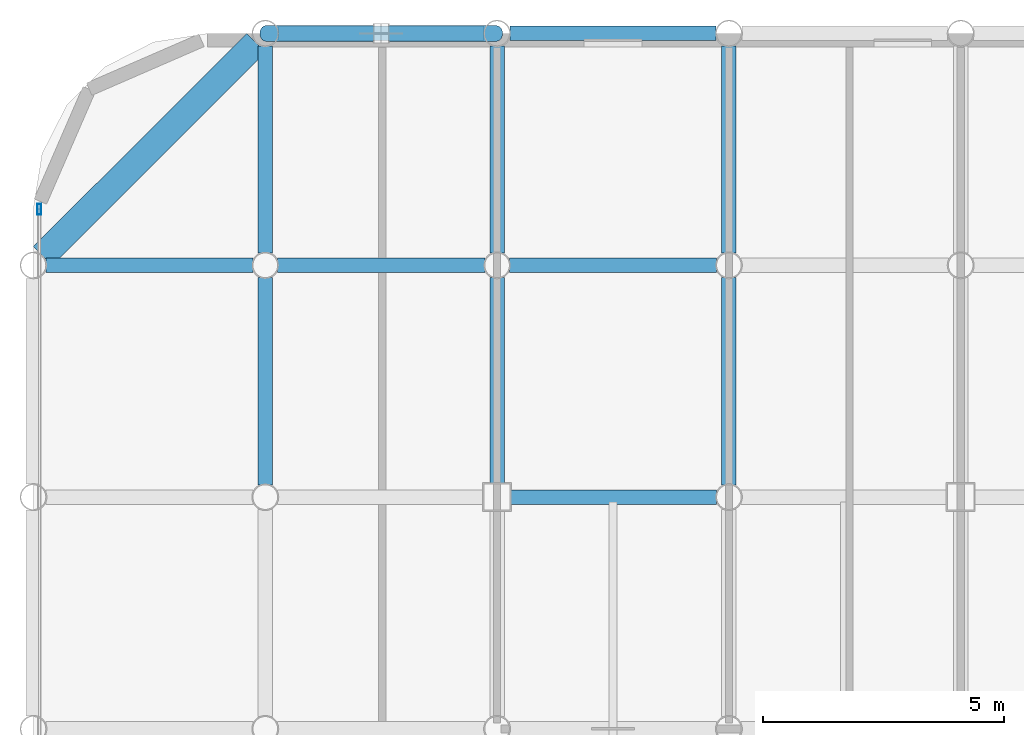
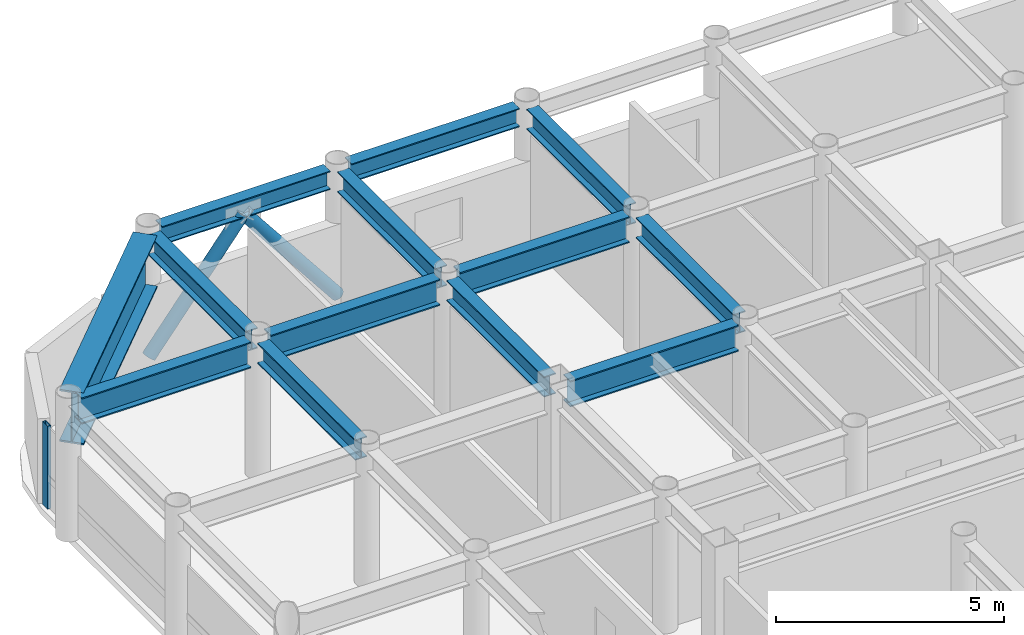
# One storey, part 12 of 22: 13 beams, 3 members, 1 element without a shape of its own.
"""IFC4 building model written with IfcOpenShell, lengths in metres."""

from ifc_helpers import new_model, si_unit, direction, frame, origin, origin_2d, place, context, subcontext, project, spatial, hollow_rectangle, hollow_circle, i_section, extrude, material, layer, layer_set, material_profile, profile_set, type_object, element, aggregate, save


model = new_model("IFC4")

# Units and contexts
model_context = context("Model", 3, precision=1e-05, world=origin(), true_north=direction((0.0, 1.0)))
body_context = subcontext(model_context, "Body", "Model", "MODEL_VIEW")
ifc_project = project(units=[si_unit("LENGTHUNIT", "METRE"), si_unit("AREAUNIT", "SQUARE_METRE"), si_unit("VOLUMEUNIT", "CUBIC_METRE"), si_unit("PLANEANGLEUNIT", "RADIAN"), si_unit("MASSUNIT", "GRAM", prefix="KILO")], contexts=[model_context])

# Site, building, storey
site_placement = place(None, origin())
site = spatial("IfcSite", under=ifc_project, at=site_placement, CompositionType="ELEMENT")
building_placement = place(site_placement, origin())
building = spatial("IfcBuilding", under=site, at=building_placement, Name="Kallvorn Hotel Tower", CompositionType="ELEMENT")
storey_placement = place(building_placement, frame((0.0, 0.0, 264.64990234375)))
storey = spatial("IfcBuildingStorey", under=building, at=storey_placement, Name="L66", CompositionType="ELEMENT", Elevation=264.64990234375)

# Beams
ifc_material_1 = material(Name="Structural steel S355JR", Category="steel")
ifc_material_profile_1 = material_profile(ifc_material_1, i_section(OverallWidth=0.300048828125, OverallDepth=0.5, WebThickness=0.014404296875, FlangeThickness=0.028076171875, at=origin_2d()), Name="HE 500 B")
ifc_profile_set_1 = profile_set([ifc_material_profile_1], Name="Structural steel S355JR")
beam_type_1 = type_object("IfcBeamType", Name="BM_HE500B", PredefinedType="SPANDREL", material=ifc_profile_set_1)
for number, where, z_axis, x_axis, name in (
    (1, (-28.530517578125, 24.0, 3.420166015625), (1.0, 0.0, 0.0), (0.0, 1.0, 0.0), "L67 Perimeter Spandrel 163"),
    (2, (-23.73046875, 24.0, 3.420166015625), (1.0, 0.0, 0.0), (0.0, 1.0, 0.0), "L67 Perimeter Spandrel 164"),
):
    element("IfcBeam", number, at=place(storey_placement, frame(where, z_axis=z_axis, x_axis=x_axis)), inside=storey, type_object=beam_type_1, Name=name, PredefinedType="SPANDREL", context=body_context, shape_type="SweptSolid", body=[
        extrude(i_section(OverallWidth=0.300048828125, OverallDepth=0.5, WebThickness=0.014404296875, FlangeThickness=0.028076171875, at=origin_2d()), origin(), (0.0, 0.0, 1.0), 4.260986328125),
    ])
ifc_material_2 = material(Name="Structural steel S355JR", Category="steel")
ifc_material_profile_2 = material_profile(ifc_material_2, i_section(OverallWidth=0.300048828125, OverallDepth=0.550048828125, WebThickness=0.014892578125, FlangeThickness=0.029052734375, at=origin_2d()), Name="HE 550 B")
ifc_profile_set_2 = profile_set([ifc_material_profile_2], Name="Structural steel S355JR")
beam_type_2 = type_object("IfcBeamType", Name="BM_HE550B", PredefinedType="SPANDREL", material=ifc_profile_set_2)
for number, where, z_axis, x_axis, name in (
    (3, (-28.800048828125, 14.654541015625, 3.39501953125), (0.0, 1.0, 0.0), (-1.0, 0.0, 0.0), "L67 Primary Y-Girder 80"),
    (4, (-28.800048828125, 19.45458984375, 3.39501953125), (0.0, 1.0, 0.0), (-1.0, 0.0, 0.0), "L67 Primary Y-Girder 81"),
):
    element("IfcBeam", number, at=place(storey_placement, frame(where, z_axis=z_axis, x_axis=x_axis)), inside=storey, type_object=beam_type_2, Name=name, PredefinedType="SPANDREL", context=body_context, shape_type="SweptSolid", body=[
        extrude(i_section(OverallWidth=0.300048828125, OverallDepth=0.550048828125, WebThickness=0.014892578125, FlangeThickness=0.029052734375, at=origin_2d()), origin(), (0.0, 0.0, 1.0), 4.291015625),
    ])
beam_1_placement = place(storey_placement, frame((-24.0, 14.675048828125, 3.39501953125), z_axis=(0.0, 1.0, 0.0), x_axis=(-1.0, 0.0, 0.0)))
element("IfcBeam", 5, at=beam_1_placement, inside=storey, type_object=beam_type_2, Name="L67 Primary Y-Girder 87", PredefinedType="SPANDREL", context=body_context, shape_type="SweptSolid", body=[
    extrude(i_section(OverallWidth=0.300048828125, OverallDepth=0.550048828125, WebThickness=0.014892578125, FlangeThickness=0.029052734375, at=origin_2d()), origin(), (0.0, 0.0, 1.0), 4.2705078125),
])
for number, where, z_axis, x_axis, name in (
    (6, (-24.0, 19.45458984375, 3.39501953125), (0.0, 1.0, 0.0), (-1.0, 0.0, 0.0), "L67 Primary Y-Girder 88"),
    (7, (-19.199951171875, 14.654541015625, 3.39501953125), (0.0, 1.0, 0.0), (-1.0, 0.0, 0.0), "L67 Primary Y-Girder 96"),
    (8, (-19.199951171875, 19.45458984375, 3.39501953125), (0.0, 1.0, 0.0), (-1.0, 0.0, 0.0), "L67 Primary Y-Girder 97"),
):
    element("IfcBeam", number, at=place(storey_placement, frame(where, z_axis=z_axis, x_axis=x_axis)), inside=storey, type_object=beam_type_2, Name=name, PredefinedType="SPANDREL", context=body_context, shape_type="SweptSolid", body=[
        extrude(i_section(OverallWidth=0.300048828125, OverallDepth=0.550048828125, WebThickness=0.014892578125, FlangeThickness=0.029052734375, at=origin_2d()), origin(), (0.0, 0.0, 1.0), 4.291015625),
    ])
ifc_material_3 = material(Name="Structural steel S355JR", Category="steel")
ifc_material_profile_3 = material_profile(ifc_material_3, i_section(OverallWidth=0.300048828125, OverallDepth=0.699951171875, WebThickness=0.01708984375, FlangeThickness=0.031982421875, at=origin_2d()), Name="HE 700 B")
ifc_profile_set_3 = profile_set([ifc_material_profile_3], Name="Structural steel S355JR")
beam_type_3 = type_object("IfcBeamType", Name="BM_HE700B", PredefinedType="BEAM", material=ifc_profile_set_3)
beam_2_placement = place(storey_placement, frame((-23.72509765625, 14.39990234375, 3.320068359375), z_axis=(1.0, 0.0, 0.0), x_axis=(0.0, 1.0, 0.0)))
element("IfcBeam", 9, at=beam_2_placement, inside=storey, type_object=beam_type_3, Name="L67 Primary X-Girder 52", PredefinedType="BEAM", context=body_context, shape_type="SweptSolid", body=[
    extrude(i_section(OverallWidth=0.300048828125, OverallDepth=0.699951171875, WebThickness=0.01708984375, FlangeThickness=0.031982421875, at=origin_2d()), origin(), (0.0, 0.0, 1.0), 4.2705078125),
])
for number, where, z_axis, x_axis, name in (
    (10, (-33.345458984375, 19.199951171875, 3.320068359375), (1.0, 0.0, 0.0), (0.0, 1.0, 0.0), "L67 Primary X-Girder 60"),
    (11, (-28.54541015625, 19.199951171875, 3.320068359375), (1.0, 0.0, 0.0), (0.0, 1.0, 0.0), "L67 Primary X-Girder 61"),
    (12, (-23.74560546875, 19.199951171875, 3.320068359375), (1.0, 0.0, 0.0), (0.0, 1.0, 0.0), "L67 Primary X-Girder 62"),
):
    element("IfcBeam", number, at=place(storey_placement, frame(where, z_axis=z_axis, x_axis=x_axis)), inside=storey, type_object=beam_type_3, Name=name, PredefinedType="BEAM", context=body_context, shape_type="SweptSolid", body=[
        extrude(i_section(OverallWidth=0.300048828125, OverallDepth=0.699951171875, WebThickness=0.01708984375, FlangeThickness=0.031982421875, at=origin_2d()), origin(), (0.0, 0.0, 1.0), 4.291015625),
    ])
ifc_material_4 = material(Name="Structural steel S355JR", Category="steel")
ifc_material_profile_4 = material_profile(ifc_material_4, i_section(OverallWidth=0.550048828125, OverallDepth=1.39990234375, WebThickness=0.02490234375, FlangeThickness=0.044921875, at=origin_2d()), Name="PG 1400x550x25x45")
ifc_profile_set_4 = profile_set([ifc_material_profile_4], Name="Structural steel S355JR")
beam_type_4 = type_object("IfcBeamType", Name="BM_PG_1400", PredefinedType="BEAM", material=ifc_profile_set_4)
beam_3_placement = place(storey_placement, frame((-33.409423828125, 19.390625, 2.97021484375), z_axis=(0.707126314793, 0.707087247041, 0.0), x_axis=(-0.707087247041, 0.707126314793, 0.0)))
element("IfcBeam", 13, at=beam_3_placement, inside=storey, type_object=beam_type_4, Name="L67 Rounded Corner Tie Beam 190", PredefinedType="BEAM", context=body_context, shape_type="SweptSolid", body=[
    extrude(i_section(OverallWidth=0.550048828125, OverallDepth=1.39990234375, WebThickness=0.02490234375, FlangeThickness=0.044921875, at=origin_2d()), origin(), (0.0, 0.0, 1.0), 6.249267578125),
])

# Curtain wall, member
ifc_material_5 = material(Name="Thermally broken black-anodised aluminium AA 6063-T6", Category="aluminium")
ifc_layer = layer(ifc_material_5, 0.22998046875)
ifc_layer_set = layer_set([ifc_layer], Name="CW_SYS_5_HOTEL_HIGH")
curtain_wall_type = type_object("IfcCurtainWallType", Name="CW_SYS_5_HOTEL_HIGH", PredefinedType="USERDEFINED", material=ifc_layer_set)
curtain_wall_placement = place(storey_placement, origin())
curtain_wall = element("IfcCurtainWall", 14, at=curtain_wall_placement, inside=storey, type_object=curtain_wall_type, Name="L66 Dark-Glass Curtain Wall CW-L66-WN", ObjectType="UNITISED CURTAIN WALL", PredefinedType="USERDEFINED")
ifc_material_6 = material(Name="Thermally broken black-anodised aluminium AA 6063-T6", Category="aluminium")
ifc_material_profile_5 = material_profile(ifc_material_6, hollow_rectangle(XDim=0.080078125, YDim=0.219970703125, WallThickness=0.0048828125, at=origin_2d()), Name="MUL 220x80")
ifc_profile_set_5 = profile_set([ifc_material_profile_5], Name="Thermally broken black-anodised aluminium AA 6063-T6")
member_type_1 = type_object("IfcMemberType", Name="CW_MULLION_220x80", PredefinedType="MULLION", material=ifc_profile_set_5)
member_placement = place(storey_placement, frame((-33.47998046875, 20.360107421875, 0.02001953125), z_axis=(0.0, 0.0, 1.0), x_axis=(1.0, 0.0, 0.0)))
member = element("IfcMember", 15, at=member_placement, type_object=member_type_1, Name="CW-L66-WN Mullion 01", PredefinedType="MULLION", context=body_context, shape_type="SweptSolid", body=[
    extrude(hollow_rectangle(XDim=0.080078125, YDim=0.219970703125, WallThickness=0.0048828125, at=origin_2d()), origin(), (0.0, 0.0, 1.0), 2.22998046875),
])
aggregate(curtain_wall, [member])

# Members
ifc_material_7 = material(Name="Structural steel S355J2H", Category="steel")
ifc_material_profile_6 = material_profile(ifc_material_7, hollow_circle(Radius=0.161865234375, WallThickness=0.012451171875, at=origin_2d()), Name="CHS 323.9x12.5")
ifc_profile_set_6 = profile_set([ifc_material_profile_6], Name="Structural steel S355J2H")
member_type_2 = type_object("IfcMemberType", Name="MBR_EXO_CHS323", PredefinedType="BRACE", material=ifc_profile_set_6)
for number, where, z_axis, x_axis, name in (
    (16, (-28.78759765625, 24.0, 0.19580078125), (0.620928510901, 0.0, 0.783867198159), (0.0, 1.0, 0.0), "L66 Exoskeleton K-Brace N1A"),
    (17, (-24.012451171875, 24.0, 0.19580078125), (-0.620928510901, 0.0, 0.783867198159), (0.0, -1.0, 0.0), "L66 Exoskeleton K-Brace N1B"),
):
    element("IfcMember", number, at=place(storey_placement, frame(where, z_axis=z_axis, x_axis=x_axis)), inside=storey, type_object=member_type_2, Name=name, PredefinedType="BRACE", context=body_context, shape_type="SweptSolid", body=[
        extrude(hollow_circle(Radius=0.161865234375, WallThickness=0.012451171875, at=origin_2d()), origin(), (0.0, 0.0, 1.0), 3.8251953125),
    ])

save(model, "model.ifc")
